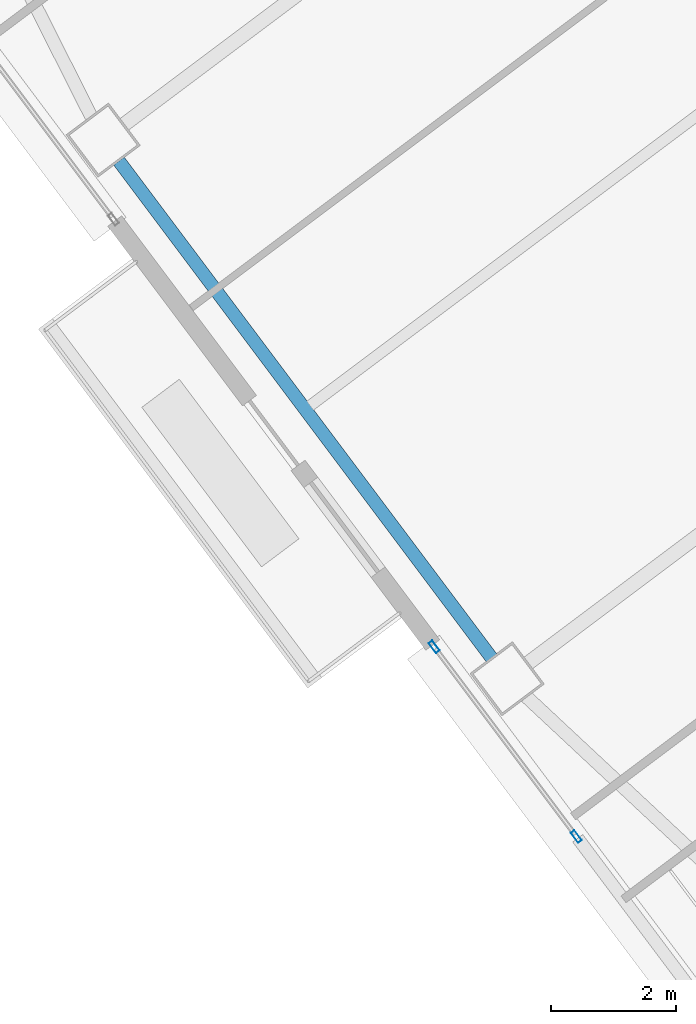
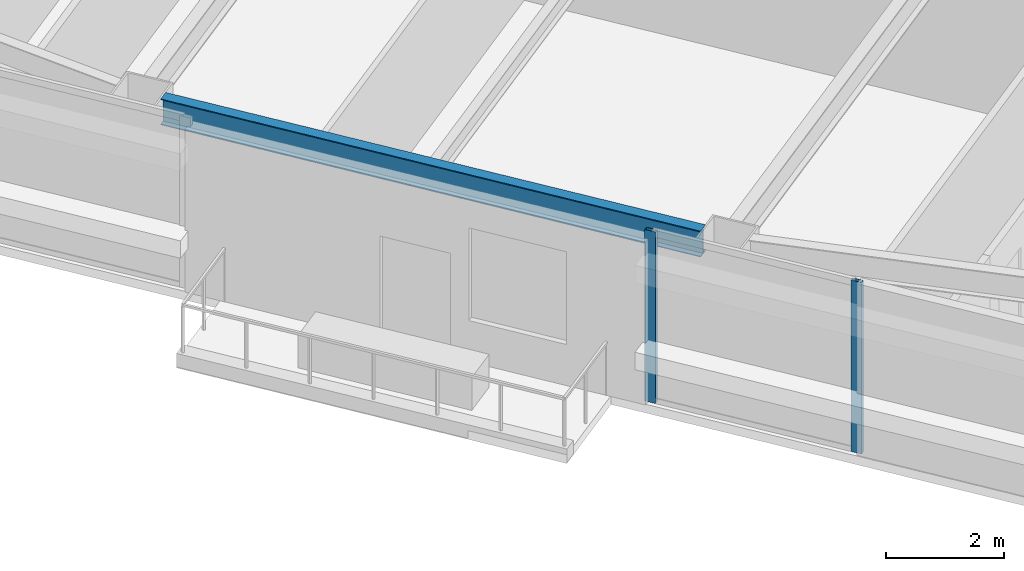
# One storey, part 17 of 40: 2 members, 1 beam, 1 element without a shape of its own.
"""IFC4 building model written with IfcOpenShell, lengths in metres."""

import ifcopenshell
import ifcopenshell.guid

model = None  # the IFC model being written
_history = None  # IfcOwnerHistory: only IFC2X3 demands one
_inside = {}  # id of a spatial element -> (the spatial element, [elements in it])
_under = {}  # id of a project, library or spatial element -> (it, [spatial elements below it])
_declared = {}  # id of a project -> (the project, [libraries it declares])
_typed = {}  # id of a type object -> (the type object, [elements of that type])
_made_of = {}  # id of a material, layer set ... -> (it, [elements and type objects made of it])


def new_model(schema):
    """Start an empty IFC model of exactly this schema.

    Asked for "IFC4X3", IfcOpenShell would pick the latest addendum, in which some entities
    have other attributes; the version numbers below select the first issue.
    IFC2X3 requires an IfcOwnerHistory on every rooted entity: one is made here for all.
    """
    global model, _history
    if schema == "IFC4X3":
        model = ifcopenshell.file(schema_version=(4, 3, 0, 0))
    else:
        model = ifcopenshell.file(schema=schema)
    _inside.clear()
    _under.clear()
    _declared.clear()
    _typed.clear()
    _made_of.clear()
    _history = None
    if model.schema == "IFC2X3":
        org = make("IfcOrganization", Name="unknown")
        user = make(
            "IfcPersonAndOrganization",
            ThePerson=make("IfcPerson", FamilyName="unknown"),
            TheOrganization=org,
        )
        app = make(
            "IfcApplication",
            ApplicationDeveloper=org,
            Version="unknown",
            ApplicationFullName="unknown",
            ApplicationIdentifier="unknown",
        )
        _history = make(
            "IfcOwnerHistory",
            OwningUser=user,
            OwningApplication=app,
            ChangeAction="ADDED",
            CreationDate=0,
        )
    return model


def make(cls, **values):
    """One entity of the class cls with the attributes given. An attribute that is None is left unset."""
    return model.create_entity(
        cls, **{name: value for name, value in values.items() if value is not None}
    )


def rooted(cls, **values):
    """An entity with a GlobalId (a new one), such as an element, a storey or a relation."""
    return make(cls, GlobalId=ifcopenshell.guid.new(), OwnerHistory=_history, **values)


def si_unit(unit_type, name, prefix=None):
    """IfcSIUnit, for example si_unit("LENGTHUNIT", "METRE", prefix="MILLI")."""
    return make("IfcSIUnit", UnitType=unit_type, Prefix=prefix, Name=name)


def assignment(units):
    """IfcUnitAssignment: the units of a project."""
    return None if units is None else make("IfcUnitAssignment", Units=units)


def point(xyz):
    """IfcCartesianPoint."""
    return None if xyz is None else make("IfcCartesianPoint", Coordinates=xyz)


def direction(xyz):
    """IfcDirection."""
    return None if xyz is None else make("IfcDirection", DirectionRatios=xyz)


def frame(location, z_axis=None, x_axis=None):
    """IfcAxis2Placement3D, a coordinate frame: its origin and axes. An axis left out is left unset."""
    return make(
        "IfcAxis2Placement3D",
        Location=point(location),
        Axis=direction(z_axis),
        RefDirection=direction(x_axis),
    )


def frame_2d(location, x_axis=None):
    """IfcAxis2Placement2D, a coordinate frame in the plane: its origin and x axis."""
    return make(
        "IfcAxis2Placement2D", Location=point(location), RefDirection=direction(x_axis)
    )


def origin():
    """The frame at (0, 0, 0) with its axes left unset."""
    return frame((0.0, 0.0, 0.0))


def origin_2d():
    """The frame at (0, 0) in the plane with its x axis left unset."""
    return frame_2d((0.0, 0.0))


def place(relative_to, where):
    """IfcLocalPlacement: puts the frame where relative to a parent placement (None: the world)."""
    return make(
        "IfcLocalPlacement", PlacementRelTo=relative_to, RelativePlacement=where
    )


def context(
    kind, dimensions, precision=None, world=None, true_north=None, identifier=None
):
    """IfcGeometricRepresentationContext, for example the 3D "Model" context."""
    return make(
        "IfcGeometricRepresentationContext",
        ContextIdentifier=identifier,
        ContextType=kind,
        CoordinateSpaceDimension=dimensions,
        Precision=precision,
        WorldCoordinateSystem=world,
        TrueNorth=true_north,
    )


def subcontext(parent, identifier, kind, view, scale=None):
    """IfcGeometricRepresentationSubContext, for example "Body" below "Model"."""
    return make(
        "IfcGeometricRepresentationSubContext",
        ContextIdentifier=identifier,
        ContextType=kind,
        ParentContext=parent,
        TargetScale=scale,
        TargetView=view,
    )


def project(units=None, contexts=None):
    """IfcProject with its units and contexts."""
    return rooted(
        "IfcProject",
        Name="project",
        RepresentationContexts=contexts,
        UnitsInContext=assignment(units),
    )


def spatial(cls, under=None, at=None, **own):
    """A site, building, storey or space (cls), placed at a placement, below another one or the project."""
    s = rooted(cls, ObjectPlacement=at, **own)
    if under is not None:
        _under.setdefault(under.id(), (under, []))[1].append(s)
    return s


def profile(cls, at=None, kind="AREA", **sizes):
    """A parametric profile (cls). Its sizes go by their IFC names, for example OverallWidth=200.0."""
    return make(cls, ProfileType=kind, Position=at, **sizes)


def hollow_rectangle(**sizes):
    """IfcRectangleHollowProfileDef."""
    return profile("IfcRectangleHollowProfileDef", **sizes)


def i_section(**sizes):
    """IfcIShapeProfileDef."""
    return profile("IfcIShapeProfileDef", **sizes)


def extrude(swept, where, along, depth):
    """IfcExtrudedAreaSolid: the profile swept, set in the frame where, extruded along a direction by depth."""
    return make(
        "IfcExtrudedAreaSolid",
        SweptArea=swept,
        Position=where,
        ExtrudedDirection=direction(along),
        Depth=depth,
    )


def shape(context_of_items, identifier, shape_type, items):
    """IfcShapeRepresentation: the items that make up one representation, for example the "Body"."""
    return make(
        "IfcShapeRepresentation",
        ContextOfItems=context_of_items,
        RepresentationIdentifier=identifier,
        RepresentationType=shape_type,
        Items=items,
    )


def material(Name=None, Category=None):
    """IfcMaterial."""
    return make("IfcMaterial", Name=Name, Category=Category)


def material_profile(
    of_material, cross_section, Name=None, Category=None, Priority=None
):
    """IfcMaterialProfile: a cross section and its material."""
    return make(
        "IfcMaterialProfile",
        Name=Name,
        Material=of_material,
        Profile=cross_section,
        Priority=Priority,
        Category=Category,
    )


def profile_set(profiles, Name=None, composite=None):
    """IfcMaterialProfileSet."""
    return make(
        "IfcMaterialProfileSet",
        Name=Name,
        MaterialProfiles=profiles,
        CompositeProfile=composite,
    )


def made_of(thing, what):
    """Note that an element or type object is made of a material, layer set ...; save() writes the relation."""
    if what is not None:
        _made_of.setdefault(what.id(), (what, []))[1].append(thing)
    return thing


def type_object(cls, material=None, **own):
    """A type object (cls), such as IfcWallType, which elements share."""
    return made_of(rooted(cls, **own), material)


def element(
    cls,
    number,
    at=None,
    inside=None,
    cuts=None,
    type_object=None,
    material=None,
    context=None,
    identifier="Body",
    shape_type=None,
    held_by="IfcProductDefinitionShape",
    body=None,
    shapes=None,
    **own,
):
    """One element of the class cls, such as IfcWall. Its Tag is "e" and its number.

    at: its placement. inside: the storey or other place that contains it. cuts: it is an
    opening in that element (IfcRelVoidsElement). A single representation is given by context,
    identifier, shape_type and body (its items); several are given by shapes. held_by: the class
    of the entity that holds the representations. save() writes the other relations.
    """
    e = rooted(cls, Tag="e%d" % number, ObjectPlacement=at, **own)
    if body is not None:
        shapes = [shape(context, identifier, shape_type, body)]
    if shapes is not None:
        e.Representation = make(held_by, Representations=shapes)
    if inside is not None:
        _inside.setdefault(inside.id(), (inside, []))[1].append(e)
    if cuts is not None:
        rooted(
            "IfcRelVoidsElement", RelatingBuildingElement=cuts, RelatedOpeningElement=e
        )
    if type_object is not None:
        _typed.setdefault(type_object.id(), (type_object, []))[1].append(e)
    return made_of(e, material)


def aggregate(whole, parts):
    """IfcRelAggregates: a whole, such as a stair, and the parts it consists of."""
    return rooted("IfcRelAggregates", RelatingObject=whole, RelatedObjects=parts)


def save(model, path):
    """Write the relations noted so far, then the file.

    IfcRelAggregates (storeys below a building ...), IfcRelContainedInSpatialStructure (elements
    in a storey), IfcRelDefinesByType, IfcRelAssociatesMaterial and IfcRelDeclares: one each for
    every whole, place, type object, material and project.
    """
    for whole, parts in _under.values():
        aggregate(whole, parts)
    for where, things in _inside.values():
        rooted(
            "IfcRelContainedInSpatialStructure",
            RelatedElements=things,
            RelatingStructure=where,
        )
    for kind, things in _typed.values():
        rooted("IfcRelDefinesByType", RelatedObjects=things, RelatingType=kind)
    for what, things in _made_of.values():
        rooted("IfcRelAssociatesMaterial", RelatedObjects=things, RelatingMaterial=what)
    for by, libraries in _declared.values():
        rooted("IfcRelDeclares", RelatingContext=by, RelatedDefinitions=libraries)
    model.write(path)


model = new_model("IFC4")

# Units and contexts
model_context = context("Model", 3, precision=1e-05, world=origin(), true_north=direction((0.0, 1.0)))
body_context = subcontext(model_context, "Body", "Model", "MODEL_VIEW")
ifc_project = project(units=[si_unit("LENGTHUNIT", "METRE"), si_unit("AREAUNIT", "SQUARE_METRE"), si_unit("VOLUMEUNIT", "CUBIC_METRE"), si_unit("PLANEANGLEUNIT", "RADIAN"), si_unit("MASSUNIT", "GRAM", prefix="KILO")], contexts=[model_context])

# Site, building, storey
site_placement = place(None, origin())
site = spatial("IfcSite", under=ifc_project, at=site_placement, CompositionType="ELEMENT")
building_placement = place(site_placement, origin())
building = spatial("IfcBuilding", under=site, at=building_placement, Name="Tashvorn Skyway Center", CompositionType="ELEMENT")
storey_placement = place(building_placement, frame((0.0, 0.0, 142.800048828125)))
storey = spatial("IfcBuildingStorey", under=building, at=storey_placement, Name="L38", CompositionType="ELEMENT", Elevation=142.800048828125)

# Beam
ifc_material_1 = material(Name="Steel ASTM A992 Grade 50", Category="steel")
ifc_material_profile_1 = material_profile(ifc_material_1, i_section(OverallWidth=0.2109375, OverallDepth=0.5390625, WebThickness=0.01171875, FlangeThickness=0.018798828125, at=origin_2d()), Name="W21X73")
ifc_profile_set_1 = profile_set([ifc_material_profile_1], Name="Steel ASTM A992 Grade 50")
beam_type = type_object("IfcBeamType", Name="BM-SPANDREL-W21X73", PredefinedType="SPANDREL", material=ifc_profile_set_1)
beam_placement = place(storey_placement, frame((96.89208984375, 25.39404296875, 3.100341796875), z_axis=(0.599988234018, -0.800008824351, 0.0), x_axis=(0.800008824351, 0.599988234018, 0.0)))
element("IfcBeam", 1, at=beam_placement, inside=storey, type_object=beam_type, Name="Tower 2 L38 Spandrel Beam 11", PredefinedType="SPANDREL", context=body_context, shape_type="SweptSolid", body=[
    extrude(i_section(OverallWidth=0.2109375, OverallDepth=0.5390625, WebThickness=0.01171875, FlangeThickness=0.018798828125, at=origin_2d()), origin(), (0.0, 0.0, 1.0), 9.9599609375),
])

# Curtain wall, members
ifc_material_2 = material(Name="Thermally broken bronze-anodized aluminium 6063-T6", Category="aluminium")
curtain_wall_type = type_object("IfcCurtainWallType", Name="CW-CW-Z3", PredefinedType="NOTDEFINED", material=ifc_material_2)
curtain_wall_placement = place(storey_placement, origin())
curtain_wall = element("IfcCurtainWall", 2, at=curtain_wall_placement, inside=storey, type_object=curtain_wall_type, Name="Tower 2 L38 West Curtain Wall L Glazing Group 1", PredefinedType="NOTDEFINED")
ifc_material_profile_2 = material_profile(ifc_material_2, hollow_rectangle(XDim=0.074951171875, YDim=0.199951171875, WallThickness=0.00439453125, at=origin_2d()), Name="ALU-MULL-75x200")
ifc_profile_set_2 = profile_set([ifc_material_profile_2], Name="Thermally broken bronze-anodized aluminium 6063-T6")
member_type = type_object("IfcMemberType", Name="CWM-CW-Z3", PredefinedType="MULLION", material=ifc_profile_set_2)
member_1_placement = place(storey_placement, frame((104.2294921875, 14.560791015625, 0.0), z_axis=(0.0, 0.0, 1.0), x_axis=(-0.799996904524, -0.600004127279, 0.0)))
member_1 = element("IfcMember", 3, at=member_1_placement, type_object=member_type, Name="CW-Z3 mullion 1", PredefinedType="MULLION", context=body_context, shape_type="SweptSolid", body=[
    extrude(hollow_rectangle(XDim=0.074951171875, YDim=0.199951171875, WallThickness=0.00439453125, at=origin_2d()), origin(), (0.0, 0.0, 1.0), 3.550048828125),
])
member_2_placement = place(storey_placement, frame((101.948486328125, 17.60205078125, 0.0), z_axis=(0.0, 0.0, 1.0), x_axis=(-0.799996904524, -0.600004127279, 0.0)))
member_2 = element("IfcMember", 4, at=member_2_placement, type_object=member_type, Name="CW-Z3 mullion 2", PredefinedType="MULLION", context=body_context, shape_type="SweptSolid", body=[
    extrude(hollow_rectangle(XDim=0.074951171875, YDim=0.199951171875, WallThickness=0.00439453125, at=origin_2d()), origin(), (0.0, 0.0, 1.0), 3.550048828125),
])
aggregate(curtain_wall, [member_1, member_2])

save(model, "model.ifc")
